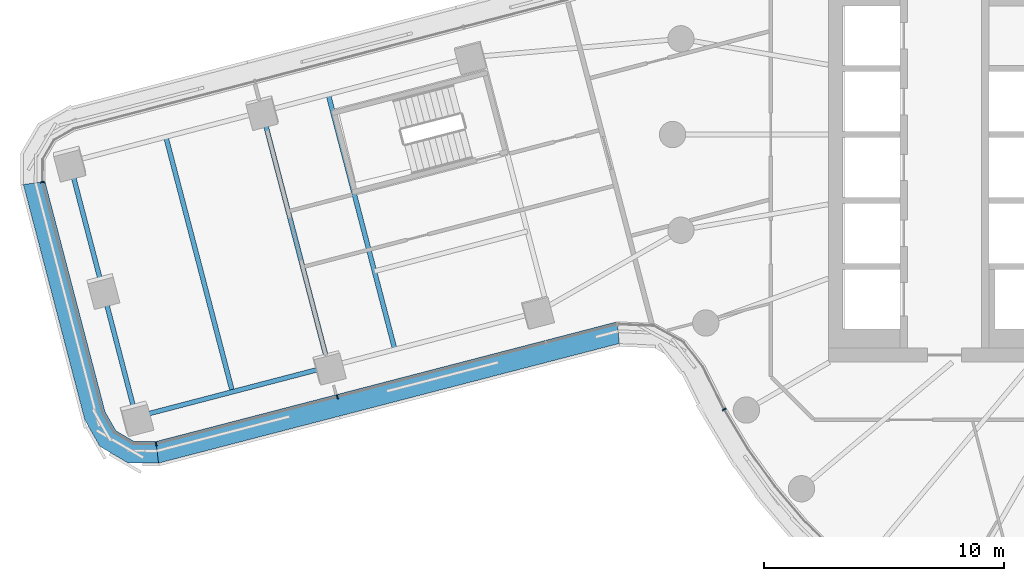
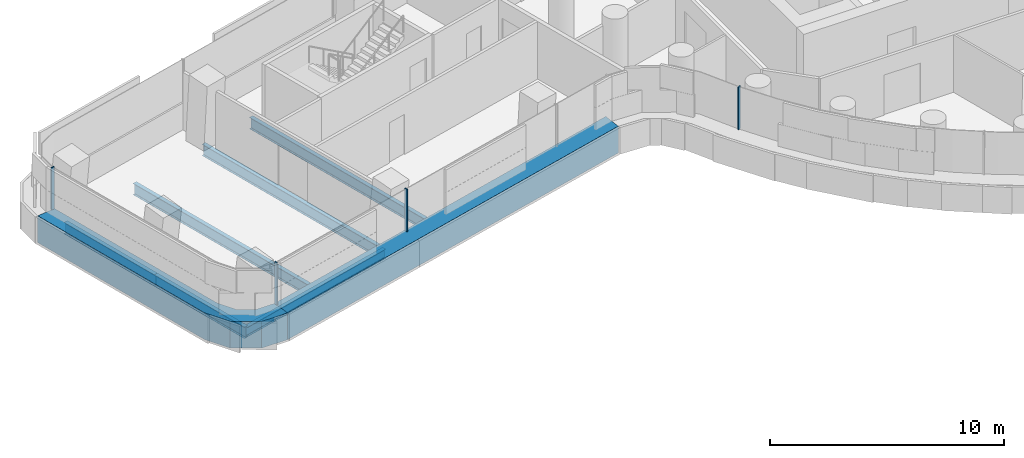
# One storey, part 4 of 30: 6 beams, 6 members, 3 elements without a shape of their own.
"""IFC4 building model written with IfcOpenShell, lengths in metres."""

from ifc_helpers import new_model, si_unit, direction, frame, origin, origin_2d, place, context, subcontext, project, spatial, polyline, rectangle, i_section, outline, extrude, material, layer, layer_set, material_profile, profile_set, type_object, element, aggregate, save


model = new_model("IFC4")

# Units and contexts
model_context = context("Model", 3, precision=1e-05, world=origin(), true_north=direction((0.0, 1.0)))
body_context = subcontext(model_context, "Body", "Model", "MODEL_VIEW")
ifc_project = project(units=[si_unit("LENGTHUNIT", "METRE"), si_unit("AREAUNIT", "SQUARE_METRE"), si_unit("VOLUMEUNIT", "CUBIC_METRE"), si_unit("PLANEANGLEUNIT", "RADIAN"), si_unit("MASSUNIT", "GRAM", prefix="KILO")], contexts=[model_context])

# Site, building, storey
site_placement = place(None, origin())
site = spatial("IfcSite", under=ifc_project, at=site_placement, CompositionType="ELEMENT")
building_placement = place(site_placement, origin())
building = spatial("IfcBuilding", under=site, at=building_placement, Name="Tamarind Cross Interchange Tower", CompositionType="ELEMENT")
storey_placement = place(building_placement, frame((0.0, 0.0, 87.25)))
storey = spatial("IfcBuildingStorey", under=building, at=storey_placement, Name="L20", CompositionType="ELEMENT", Elevation=87.25)

# Beams
ifc_material_1 = material(Name="Steel Q355B", Category="steel")
ifc_material_profile_1 = material_profile(ifc_material_1, i_section(OverallWidth=0.198974609375, OverallDepth=0.49609375, WebThickness=0.009033203125, FlangeThickness=0.013916015625, FilletRadius=0.012939453125, at=origin_2d()), Name="HN 496x199x9x14")
ifc_profile_set_1 = profile_set([ifc_material_profile_1], Name="Steel Q355B")
beam_type_1 = type_object("IfcBeamType", Name="Composite beam HN 496x199x9x14 Q355B", PredefinedType="BEAM", material=ifc_profile_set_1)
beam_placement = place(storey_placement, frame((-45.391845703125, -11.789306640625, -0.387939453125), z_axis=(0.967585132984, 0.252545066132, 0.0), x_axis=(-0.252545066132, 0.967585132984, 0.0)))
element("IfcBeam", 1, at=beam_placement, inside=storey, type_object=beam_type_1, Name="Beam W-edgeep2", PredefinedType="BEAM", context=body_context, shape_type="SweptSolid", body=[
    extrude(i_section(OverallWidth=0.198974609375, OverallDepth=0.49609375, WebThickness=0.009033203125, FlangeThickness=0.013916015625, FilletRadius=0.012939453125, at=origin_2d()), origin(), (0.0, 0.0, 1.0), 8.310791015625),
])
ifc_material_profile_2 = material_profile(ifc_material_1, i_section(OverallWidth=0.199951171875, OverallDepth=0.60009765625, WebThickness=0.010986328125, FlangeThickness=0.01708984375, FilletRadius=0.012939453125, at=origin_2d()), Name="HN 600x200x11x17")
ifc_profile_set_2 = profile_set([ifc_material_profile_2], Name="Steel Q355B")
beam_type_2 = type_object("IfcBeamType", Name="Composite beam HN 600x200x11x17 Q355B", PredefinedType="BEAM", material=ifc_profile_set_2)
for number, where, z_axis, x_axis, name in (
    (2, (-48.169677734375, -1.145751953125, -0.43994140625), (0.252528507563, -0.967589454711, 0.0), (0.967589454711, 0.252528507563, 0.0), "Beam W-tip0"),
    (3, (-46.78076171875, -6.467529296875, -0.43994140625), (0.252528507563, -0.967589454711, 0.0), (0.967589454711, 0.252528507563, 0.0), "Beam W-tip1"),
):
    element("IfcBeam", number, at=place(storey_placement, frame(where, z_axis=z_axis, x_axis=x_axis)), inside=storey, type_object=beam_type_2, Name=name, PredefinedType="BEAM", context=body_context, shape_type="SweptSolid", body=[
        extrude(i_section(OverallWidth=0.199951171875, OverallDepth=0.60009765625, WebThickness=0.010986328125, FlangeThickness=0.01708984375, FilletRadius=0.012939453125, at=origin_2d()), origin(), (0.0, 0.0, 1.0), 5.5),
    ])
for number, where, z_axis, x_axis, name in (
    (4, (-37.37060546875, 1.672607421875, -0.43994140625), (0.252533930755, -0.967588039311, 0.0), (0.967588039311, 0.252533930755, 0.0), "Beam W-x364"),
    (5, (-40.128173828125, 0.952880859375, -0.43994140625), (0.252533930755, -0.967588039311, 0.0), (0.967588039311, 0.252533930755, 0.0), "Beam W-x393"),
    (6, (-44.14892578125, -0.096435546875, -0.43994140625), (0.252533930755, -0.967588039311, 0.0), (0.967588039311, 0.252533930755, 0.0), "Beam W-x435"),
):
    element("IfcBeam", number, at=place(storey_placement, frame(where, z_axis=z_axis, x_axis=x_axis)), inside=storey, type_object=beam_type_2, Name=name, PredefinedType="BEAM", context=body_context, shape_type="SweptSolid", body=[
        extrude(i_section(OverallWidth=0.199951171875, OverallDepth=0.60009765625, WebThickness=0.010986328125, FlangeThickness=0.01708984375, FilletRadius=0.012939453125, at=origin_2d()), origin(), (0.0, 0.0, 1.0), 10.999755859375),
    ])

# Curtain wall, member
ifc_material_2 = material(Name="Aluminium 6063-T6", Category="aluminium")
ifc_layer = layer(ifc_material_2, 0.159912109375)
ifc_layer_set = layer_set([ifc_layer], Name="Aluminium 6063-T6")
curtain_wall_type = type_object("IfcCurtainWallType", Name="Office curtain wall, 9.0 m bays", PredefinedType="NOTDEFINED", material=ifc_layer_set)
curtain_wall_1_placement = place(storey_placement, origin())
curtain_wall_1 = element("IfcCurtainWall", 7, at=curtain_wall_1_placement, inside=storey, type_object=curtain_wall_type, Name="CWS-L20-04", PredefinedType="NOTDEFINED")
ifc_material_3 = material(Name="Aluminium and insulated spandrel panel", Category="aluminium")
member_type_1 = type_object("IfcMemberType", Name="Floor-edge blade transom", PredefinedType="USERDEFINED", material=ifc_material_3)
member_1_placement = place(storey_placement, origin())
member_1 = element("IfcMember", 8, at=member_1_placement, type_object=member_type_1, Name="CWT-L20-04", ObjectType="TRANSOM", PredefinedType="USERDEFINED", context=body_context, shape_type="SweptSolid", body=[
    extrude(outline(polyline([(-49.194580078125, -1.970703125), (-46.689208984375, -11.5703125), (-46.23681640625, -12.365966796875), (-45.482177734375, -12.80810546875), (-44.566650390625, -12.814208984375), (-44.45458984375, -13.71484375), (-45.729248046875, -13.70654296875), (-46.89990234375, -13.0205078125), (-47.5302734375, -11.912109375), (-50.095458984375, -2.08349609375), (-49.194580078125, -1.970703125)])), origin(), (0.0, 0.0, 1.0), 1.39990234375),
])

curtain_wall_2_placement = place(storey_placement, origin())
curtain_wall_2 = element("IfcCurtainWall", 9, at=curtain_wall_2_placement, inside=storey, type_object=curtain_wall_type, Name="CWS-L20-05", PredefinedType="NOTDEFINED")
member_2_placement = place(storey_placement, origin())
member_2 = element("IfcMember", 10, at=member_2_placement, type_object=member_type_1, Name="CWT-L20-05", ObjectType="TRANSOM", PredefinedType="USERDEFINED", context=body_context, shape_type="SweptSolid", body=[
    extrude(outline(polyline([(-44.566650390625, -12.814208984375), (-25.316650390625, -7.81689453125), (-25.220703125, -8.721923828125), (-44.45458984375, -13.71484375), (-44.566650390625, -12.814208984375)])), origin(), (0.0, 0.0, 1.0), 1.39990234375),
])

# Member
ifc_material_profile_3 = material_profile(ifc_material_2, rectangle(XDim=0.06005859375, YDim=0.159912109375, at=origin_2d()), Name="Mullion CW1")
ifc_profile_set_3 = profile_set([ifc_material_profile_3], Name="Aluminium 6063-T6")
member_type_2 = type_object("IfcMemberType", Name="Mullion CW1", PredefinedType="MULLION", material=ifc_profile_set_3)
member_3_placement = place(storey_placement, frame((-49.294677734375, -1.9833984375, 1.39990234375), z_axis=(0.0, 0.0, 1.0), x_axis=(0.124072552096, -0.992273148793, 0.0)))
member_3 = element("IfcMember", 11, at=member_3_placement, type_object=member_type_2, Name="CWM-L20-04-00", PredefinedType="MULLION", context=body_context, shape_type="SweptSolid", body=[
    extrude(rectangle(XDim=0.06005859375, YDim=0.159912109375, at=origin_2d()), origin(), (0.0, 0.0, 1.0), 2.210205078125),
])

aggregate(curtain_wall_1, [member_3, member_1])

member_4_placement = place(storey_placement, frame((-44.55419921875, -12.914306640625, 1.39990234375), z_axis=(0.0, 0.0, 1.0), x_axis=(0.99235381854, 0.123425681404, 0.0)))
member_4 = element("IfcMember", 12, at=member_4_placement, type_object=member_type_2, Name="CWM-L20-05-00", PredefinedType="MULLION", context=body_context, shape_type="SweptSolid", body=[
    extrude(rectangle(XDim=0.06005859375, YDim=0.159912109375, at=origin_2d()), origin(), (0.0, 0.0, 1.0), 2.210205078125),
])

member_5_placement = place(storey_placement, frame((-36.992431640625, -10.951171875, 1.39990234375), z_axis=(0.0, 0.0, 1.0), x_axis=(0.967917811763, 0.251267008723, 0.0)))
member_5 = element("IfcMember", 13, at=member_5_placement, type_object=member_type_2, Name="CWM-L20-05-01", PredefinedType="MULLION", context=body_context, shape_type="SweptSolid", body=[
    extrude(rectangle(XDim=0.06005859375, YDim=0.159912109375, at=origin_2d()), origin(), (0.0, 0.0, 1.0), 2.210205078125),
])

aggregate(curtain_wall_2, [member_4, member_5, member_2])

# Curtain wall, member
curtain_wall_3_placement = place(storey_placement, origin())
curtain_wall_3 = element("IfcCurtainWall", 14, at=curtain_wall_3_placement, inside=storey, type_object=curtain_wall_type, Name="CWS-L20-06", PredefinedType="NOTDEFINED")
member_6_placement = place(storey_placement, frame((-20.8427734375, -11.475341796875, 1.39990234375), z_axis=(0.0, 0.0, 1.0), x_axis=(0.515577308909, -0.856843065292, 0.0)))
member_6 = element("IfcMember", 15, at=member_6_placement, type_object=member_type_2, Name="CWM-L20-06-01", PredefinedType="MULLION", context=body_context, shape_type="SweptSolid", body=[
    extrude(rectangle(XDim=0.06005859375, YDim=0.159912109375, at=origin_2d()), origin(), (0.0, 0.0, 1.0), 2.210205078125),
])
aggregate(curtain_wall_3, [member_6])

save(model, "model.ifc")
